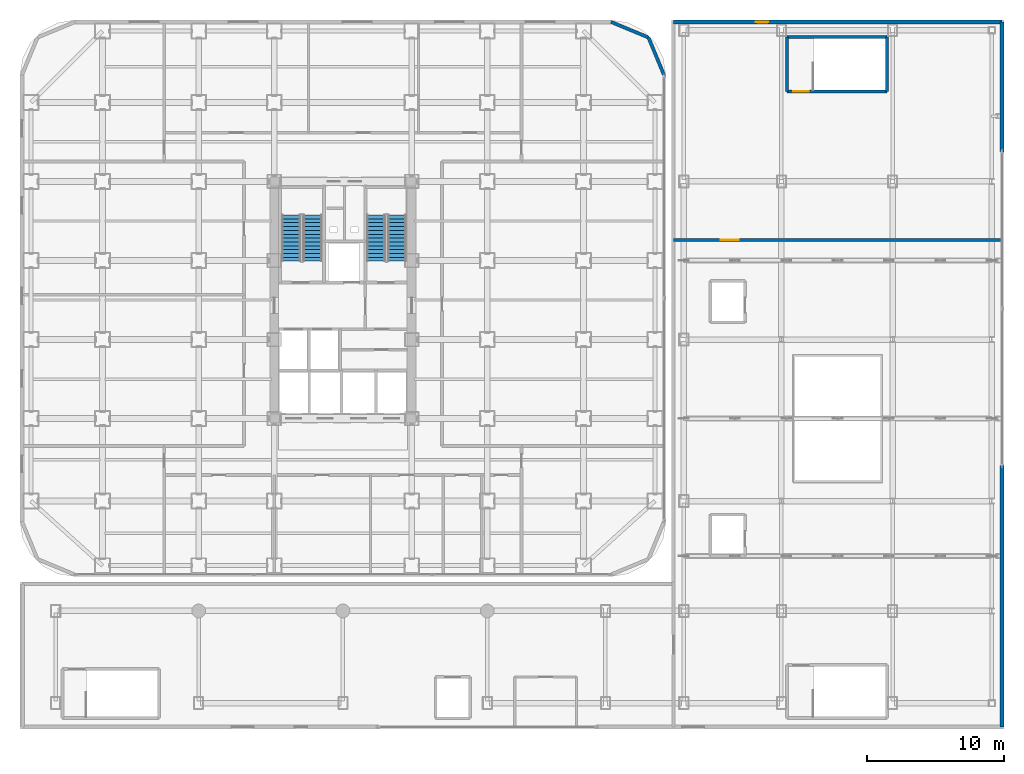
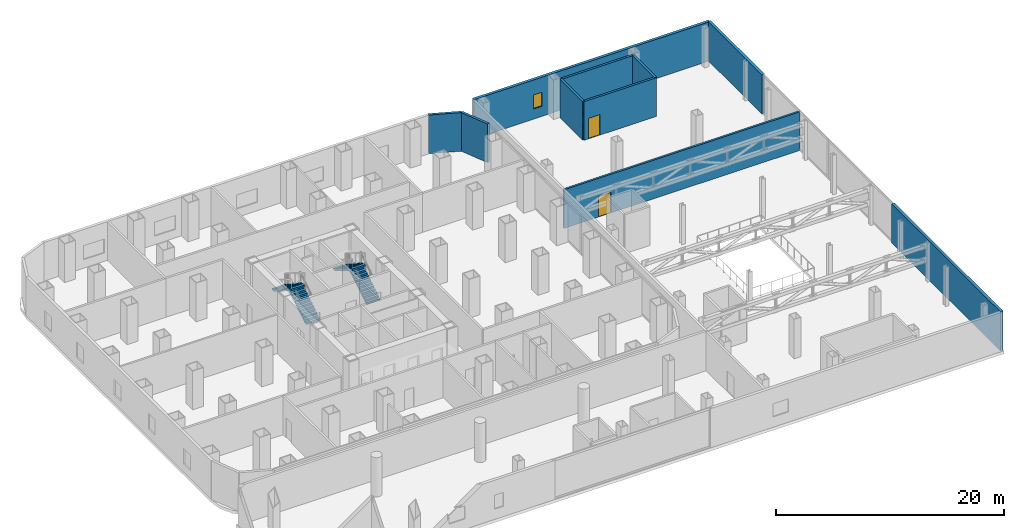
# One storey, part 25 of 28: 10 walls, 4 stair flights, 2 doors, 1 window, 3 openings, 2 elements without a shape of their own.
"""IFC4 building model written with IfcOpenShell, lengths in metres."""

from ifc_helpers import new_model, si_unit, direction, frame, frame_2d, origin, place, context, subcontext, project, spatial, polyline, rectangle, outline, extrude, material, layer, layer_set, type_object, element, fill, aggregate, save


model = new_model("IFC4")

# Units and contexts
model_context = context("Model", 3, precision=1e-05, world=origin(), true_north=direction((0.0, 1.0)))
body_context = subcontext(model_context, "Body", "Model", "MODEL_VIEW")
ifc_project = project(units=[si_unit("LENGTHUNIT", "METRE"), si_unit("AREAUNIT", "SQUARE_METRE"), si_unit("VOLUMEUNIT", "CUBIC_METRE"), si_unit("PLANEANGLEUNIT", "RADIAN"), si_unit("MASSUNIT", "GRAM", prefix="KILO")], contexts=[model_context])

# Site, building, storey
site_placement = place(None, origin())
site = spatial("IfcSite", under=ifc_project, at=site_placement, CompositionType="ELEMENT")
building_placement = place(site_placement, origin())
building = spatial("IfcBuilding", under=site, at=building_placement, Name="Kolveth Station Tower", CompositionType="ELEMENT")
storey_placement = place(building_placement, frame((0.0, 0.0, 18.0)))
storey = spatial("IfcBuildingStorey", under=building, at=storey_placement, Name="L04", CompositionType="ELEMENT", Elevation=18.0)

# Walls
ifc_material_1 = material(Name="Precast concrete C40/50", Category="concrete")
ifc_layer_1 = layer(ifc_material_1, 0.239990234375)
ifc_layer_set_1 = layer_set([ifc_layer_1], Name="Precast concrete C40/50")
wall_type_1 = type_object("IfcWallType", Name="Wall_EW-240", PredefinedType="SOLIDWALL", material=ifc_layer_set_1)
for number, where, z_axis, x_axis, name in (
    (1, (46.860107421875, 36.5, 0.0), (0.0, 0.0, 1.0), (-0.382689947836, 0.923876833688, 0.0), "L04 Podium Rounded Corner Wall 3"),
    (2, (45.7294921875, 39.2294921875, 0.0), (0.0, 0.0, 1.0), (-0.923876833688, 0.382689947836, 0.0), "L04 Podium Rounded Corner Wall 4"),
):
    element("IfcWall", number, at=place(storey_placement, frame(where, z_axis=z_axis, x_axis=x_axis)), inside=storey, type_object=wall_type_1, Name=name, PredefinedType="SOLIDWALL", context=body_context, shape_type="SweptSolid", body=[
        extrude(rectangle(XDim=2.954345703125, YDim=0.239990234375, at=frame_2d((1.47705078125, 0.0))), origin(), (0.0, 0.0, 1.0), 4.139892578125),
    ])
ifc_layer_2 = layer(ifc_material_1, 0.280029296875)
ifc_layer_set_2 = layer_set([ifc_layer_2], Name="Precast concrete C40/50")
wall_type_2 = type_object("IfcWallType", Name="Wall_EW-280", PredefinedType="SOLIDWALL", material=ifc_layer_set_2)
wall_1_placement = place(storey_placement, frame((71.449951171875, -10.949951171875, 0.0), z_axis=(0.0, 0.0, 1.0), x_axis=(0.0, 1.0, 0.0)))
element("IfcWall", 3, at=wall_1_placement, inside=storey, type_object=wall_type_2, Name="L04 Station Exterior Wall E1", PredefinedType="SOLIDWALL", context=body_context, shape_type="SweptSolid", body=[
    extrude(rectangle(XDim=19.050048828125, YDim=0.280029296875, at=frame_2d((9.52490234375, 0.0))), origin(), (0.0, 0.0, 1.0), 4.199951171875),
])
wall_2_placement = place(storey_placement, frame((71.449951171875, 30.89990234375, 0.0), z_axis=(0.0, 0.0, 1.0), x_axis=(0.0, 1.0, 0.0)))
element("IfcWall", 4, at=wall_2_placement, inside=storey, type_object=wall_type_2, Name="L04 Station Exterior Wall E2", PredefinedType="SOLIDWALL", context=body_context, shape_type="SweptSolid", body=[
    extrude(rectangle(XDim=9.4501953125, YDim=0.280029296875, at=frame_2d((4.72509765625, 0.0))), origin(), (0.0, 0.0, 1.0), 4.199951171875),
])

# Wall, opening, window
wall_3_placement = place(storey_placement, frame((47.5400390625, 40.35009765625, 0.0), z_axis=(0.0, 0.0, 1.0), x_axis=(1.0, 0.0, 0.0)))
wall_3 = element("IfcWall", 5, at=wall_3_placement, inside=storey, type_object=wall_type_2, Name="L04 Station Exterior Wall N1", PredefinedType="SOLIDWALL", context=body_context, shape_type="SweptSolid", body=[
    extrude(rectangle(XDim=23.909912109375, YDim=0.280029296875, at=frame_2d((11.955078125, 0.0))), origin(), (0.0, 0.0, 1.0), 4.199951171875),
])
opening_1_placement = place(wall_3_placement, frame((6.010009765625, 0.0, 1.10009765625)))
opening_1 = element("IfcOpeningElement", 6, at=opening_1_placement, cuts=wall_3, Name="Opening W8", PredefinedType="OPENING", context=body_context, shape_type="SweptSolid", body=[
    extrude(rectangle(XDim=0.89990234375, YDim=1.5, at=frame_2d((0.449951171875, 0.75))), frame((0.0, 0.14990234375, 0.0), z_axis=(0.0, -1.0, 0.0), x_axis=(1.0, 0.0, 0.0)), (0.0, 0.0, 1.0), 0.300048828125),
])
ifc_material_2 = material(Name="Black anodized aluminium 6063-T6 and frosted glass", Category="aluminium")
window_type = type_object("IfcWindowType", Name="Win_W8", PartitioningType="SINGLE_PANEL", PredefinedType="WINDOW", material=ifc_material_2)
window_placement = place(opening_1_placement, origin())
window = element("IfcWindow", 7, at=window_placement, inside=storey, type_object=window_type, Name="L04 Station Hall Window 4", OverallHeight=1.5, OverallWidth=0.89990234375, PartitioningType="SINGLE_PANEL", PredefinedType="WINDOW", context=body_context, shape_type="SweptSolid", body=[
    extrude(rectangle(XDim=0.89990234375, YDim=1.5, at=frame_2d((0.449951171875, 0.75))), frame((0.0, 0.030029296875, 0.0), z_axis=(0.0, -1.0, 0.0), x_axis=(1.0, 0.0, 0.0)), (0.0, 0.0, 1.0), 0.06005859375),
])
fill(opening_1, window)

# Wall, opening, door
ifc_material_3 = material(Name="Acoustic fire-rated gypsum blockwork", Category="masonry")
ifc_layer_3 = layer(ifc_material_3, 0.199951171875)
ifc_layer_set_3 = layer_set([ifc_layer_3], Name="Acoustic fire-rated gypsum blockwork")
wall_type_3 = type_object("IfcWallType", Name="Wall_IW-200", PredefinedType="PARTITIONING", material=ifc_layer_set_3)
wall_4_placement = place(storey_placement, frame((47.550048828125, 24.5, 0.0), z_axis=(0.0, 0.0, 1.0), x_axis=(1.0, 0.0, 0.0)))
wall_4 = element("IfcWall", 8, at=wall_4_placement, inside=storey, type_object=wall_type_3, Name="L04 Partition Wall WL-L04-STN-DIV", PredefinedType="PARTITIONING", context=body_context, shape_type="SweptSolid", body=[
    extrude(rectangle(XDim=23.89990234375, YDim=0.199951171875, at=frame_2d((11.949951171875, 0.0))), origin(), (0.0, 0.0, 1.0), 4.139892578125),
])
opening_2_placement = place(wall_4_placement, frame((3.449951171875, 0.0, 0.0)))
opening_2 = element("IfcOpeningElement", 9, at=opening_2_placement, cuts=wall_4, Name="Opening ID3", PredefinedType="OPENING", context=body_context, shape_type="SweptSolid", body=[
    extrude(rectangle(XDim=1.300048828125, YDim=2.199951171875, at=frame_2d((0.64990234375, 1.10009765625))), frame((0.0, 0.10986328125, 0.0), z_axis=(0.0, -1.0, 0.0), x_axis=(1.0, 0.0, 0.0)), (0.0, 0.0, 1.0), 0.219970703125),
])
ifc_material_4 = material(Name="Glazed acoustic office double leaf")
door_type_1 = type_object("IfcDoorType", Name="Door_ID3", OperationType="NOTDEFINED", PredefinedType="DOOR", material=ifc_material_4)
door_1_placement = place(opening_2_placement, origin())
door_1 = element("IfcDoor", 10, at=door_1_placement, inside=storey, type_object=door_type_1, Name="L04 Station Concourse Gate", OperationType="DOUBLE_DOOR_SINGLE_SWING", OverallHeight=2.199951171875, OverallWidth=1.300048828125, PredefinedType="DOOR", context=body_context, shape_type="SweptSolid", body=[
    extrude(rectangle(XDim=1.300048828125, YDim=2.199951171875, at=frame_2d((0.64990234375, 1.10009765625))), frame((0.0, 0.02490234375, 0.0), z_axis=(0.0, -1.0, 0.0), x_axis=(1.0, 0.0, 0.0)), (0.0, 0.0, 1.0), 0.050048828125),
])
fill(opening_2, door_1)

ifc_material_5 = material(Name="Concrete C40/50", Category="concrete")
ifc_layer_4 = layer(ifc_material_5, 0.219970703125)
ifc_layer_set_4 = layer_set([ifc_layer_4], Name="Concrete C40/50")
wall_type_4 = type_object("IfcWallType", Name="Wall_IW-220", PredefinedType="SOLIDWALL", material=ifc_layer_set_4)
wall_5_placement = place(storey_placement, frame((55.800048828125, 35.300048828125, 0.0), z_axis=(0.0, 0.0, 1.0), x_axis=(1.0, 0.0, 0.0)))
wall_5 = element("IfcWall", 11, at=wall_5_placement, inside=storey, type_object=wall_type_4, Name="L04 Stair Shaft Wall WL-L04-ST3-S", PredefinedType="SOLIDWALL", context=body_context, shape_type="SweptSolid", body=[
    extrude(rectangle(XDim=7.300048828125, YDim=0.219970703125, at=frame_2d((3.64990234375, 0.0))), origin(), (0.0, 0.0, 1.0), 4.139892578125),
])
opening_3_placement = place(wall_5_placement, frame((0.449951171875, 0.0, 0.0)))
opening_3 = element("IfcOpeningElement", 12, at=opening_3_placement, cuts=wall_5, Name="Opening FD1", PredefinedType="OPENING", context=body_context, shape_type="SweptSolid", body=[
    extrude(rectangle(XDim=1.14990234375, YDim=2.199951171875, at=frame_2d((0.574951171875, 1.10009765625))), frame((0.0, 0.119873046875, 0.0), z_axis=(0.0, -1.0, 0.0), x_axis=(1.0, 0.0, 0.0)), (0.0, 0.0, 1.0), 0.239990234375),
])
ifc_material_6 = material(Name="Fire-rated Steel S355 leaf and frame", Category="steel")
door_type_2 = type_object("IfcDoorType", Name="Door_FD1", OperationType="NOTDEFINED", PredefinedType="DOOR", material=ifc_material_6)
door_2_placement = place(opening_3_placement, frame((1.14990234375, 0.0, 0.0), z_axis=(0.0, 0.0, 1.0), x_axis=(-1.0, 0.0, 0.0)))
door_2 = element("IfcDoor", 13, at=door_2_placement, inside=storey, type_object=door_type_2, Name="L04 Station Stair ST3 Door", OperationType="SINGLE_SWING_LEFT", OverallHeight=2.199951171875, OverallWidth=1.14990234375, PredefinedType="DOOR", context=body_context, shape_type="SweptSolid", body=[
    extrude(rectangle(XDim=1.14990234375, YDim=2.199951171875, at=frame_2d((0.574951171875, 1.10009765625))), frame((0.0, 0.02490234375, 0.0), z_axis=(0.0, -1.0, 0.0), x_axis=(1.0, 0.0, 0.0)), (0.0, 0.0, 1.0), 0.050048828125),
])
fill(opening_3, door_2)

# Walls
wall_6_placement = place(storey_placement, frame((55.800048828125, 39.260009765625, 0.0), z_axis=(0.0, 0.0, 1.0), x_axis=(1.0, 0.0, 0.0)))
element("IfcWall", 14, at=wall_6_placement, inside=storey, type_object=wall_type_4, Name="L04 Stair Shaft Wall WL-L04-ST3-N", PredefinedType="SOLIDWALL", context=body_context, shape_type="SweptSolid", body=[
    extrude(rectangle(XDim=7.300048828125, YDim=0.219970703125, at=frame_2d((3.64990234375, 0.0))), origin(), (0.0, 0.0, 1.0), 4.139892578125),
])
for number, where, z_axis, x_axis, name in (
    (15, (55.800048828125, 35.300048828125, 0.0), (0.0, 0.0, 1.0), (0.0, 1.0, 0.0), "L04 Stair Shaft Wall WL-L04-ST3-W"),
    (16, (63.10009765625, 35.300048828125, 0.0), (0.0, 0.0, 1.0), (0.0, 1.0, 0.0), "L04 Stair Shaft Wall WL-L04-ST3-E"),
):
    element("IfcWall", number, at=place(storey_placement, frame(where, z_axis=z_axis, x_axis=x_axis)), inside=storey, type_object=wall_type_4, Name=name, PredefinedType="SOLIDWALL", context=body_context, shape_type="SweptSolid", body=[
        extrude(rectangle(XDim=3.9599609375, YDim=0.219970703125, at=frame_2d((1.97998046875, 0.0))), origin(), (0.0, 0.0, 1.0), 4.139892578125),
    ])

# Stair, stair flights
stair_type_1 = type_object("IfcStairType", Name="Stair_ST1", PredefinedType="HALF_TURN_STAIR", material=ifc_material_5)
stair_1_placement = place(storey_placement, origin())
stair_1 = element("IfcStair", 17, at=stair_1_placement, inside=storey, type_object=stair_type_1, Name="L04 Tower Exit Stair ST1", PredefinedType="HALF_TURN_STAIR")
ifc_layer_5 = layer(ifc_material_5, 0.179931640625)
ifc_layer_set_5 = layer_set([ifc_layer_5], Name="Concrete C40/50")
stair_flight_type_1 = type_object("IfcStairFlightType", Name="Flight_ST1", PredefinedType="STRAIGHT", material=ifc_layer_set_5)
stair_flight_1_placement = place(storey_placement, frame((21.300048828125, 22.949951171875, 0.0), z_axis=(0.0, 0.0, 1.0), x_axis=(0.0, 1.0, 0.0)))
stair_flight_1 = element("IfcStairFlight", 18, at=stair_flight_1_placement, type_object=stair_flight_type_1, Name="ST1 flight 1", NumberOfRisers=13, NumberOfTreads=12, PredefinedType="STRAIGHT", RiserHeight=0.173076923, TreadLength=0.28, context=body_context, shape_type="SweptSolid", body=[
    extrude(outline(polyline([(0.0, 0.0), (0.0, 0.173095703125), (0.280029296875, 0.173095703125), (0.280029296875, 0.34619140625), (0.56005859375, 0.34619140625), (0.56005859375, 0.519287109375), (0.840087890625, 0.519287109375), (0.840087890625, 0.6923828125), (1.1201171875, 0.6923828125), (1.1201171875, 0.865478515625), (1.39990234375, 0.865478515625), (1.39990234375, 1.03857421875), (1.679931640625, 1.03857421875), (1.679931640625, 1.21142578125), (1.9599609375, 1.21142578125), (1.9599609375, 1.384521484375), (2.239990234375, 1.384521484375), (2.239990234375, 1.5576171875), (2.52001953125, 1.5576171875), (2.52001953125, 1.730712890625), (2.800048828125, 1.730712890625), (2.800048828125, 1.90380859375), (3.080078125, 1.90380859375), (3.080078125, 2.076904296875), (3.360107421875, 2.076904296875), (3.360107421875, 2.25), (3.360107421875, 1.900634765625), (0.28515625, 0.0), (0.0, 0.0)])), frame((0.0, 0.699951171875, 0.0), z_axis=(0.0, -1.0, 0.0), x_axis=(1.0, 0.0, 0.0)), (0.0, 0.0, 1.0), 1.39990234375),
])
stair_flight_2_placement = place(storey_placement, frame((19.739990234375, 26.31005859375, 2.25), z_axis=(0.0, 0.0, 1.0), x_axis=(0.0, -1.0, 0.0)))
stair_flight_2 = element("IfcStairFlight", 19, at=stair_flight_2_placement, type_object=stair_flight_type_1, Name="ST1 flight 2", NumberOfRisers=13, NumberOfTreads=12, PredefinedType="STRAIGHT", RiserHeight=0.173076923, TreadLength=0.28, context=body_context, shape_type="SweptSolid", body=[
    extrude(outline(polyline([(0.0, 0.0), (0.0, 0.173095703125), (0.280029296875, 0.173095703125), (0.280029296875, 0.34619140625), (0.56005859375, 0.34619140625), (0.56005859375, 0.519287109375), (0.840087890625, 0.519287109375), (0.840087890625, 0.6923828125), (1.1201171875, 0.6923828125), (1.1201171875, 0.865478515625), (1.39990234375, 0.865478515625), (1.39990234375, 1.03857421875), (1.679931640625, 1.03857421875), (1.679931640625, 1.21142578125), (1.9599609375, 1.21142578125), (1.9599609375, 1.384521484375), (2.239990234375, 1.384521484375), (2.239990234375, 1.5576171875), (2.52001953125, 1.5576171875), (2.52001953125, 1.730712890625), (2.800048828125, 1.730712890625), (2.800048828125, 1.90380859375), (3.080078125, 1.90380859375), (3.080078125, 2.076904296875), (3.360107421875, 2.076904296875), (3.360107421875, 2.25), (3.360107421875, 1.900634765625), (0.28515625, 0.0), (0.0, 0.0)])), frame((0.0, 0.699951171875, 0.0), z_axis=(0.0, -1.0, 0.0), x_axis=(1.0, 0.0, 0.0)), (0.0, 0.0, 1.0), 1.39990234375),
])
aggregate(stair_1, [stair_flight_1, stair_flight_2])

stair_type_2 = type_object("IfcStairType", Name="Stair_ST2", PredefinedType="HALF_TURN_STAIR", material=ifc_material_5)
stair_2_placement = place(storey_placement, origin())
stair_2 = element("IfcStair", 20, at=stair_2_placement, inside=storey, type_object=stair_type_2, Name="L04 Tower Exit Stair ST2", PredefinedType="HALF_TURN_STAIR")
ifc_layer_6 = layer(ifc_material_5, 0.179931640625)
ifc_layer_set_6 = layer_set([ifc_layer_6], Name="Concrete C40/50")
stair_flight_type_2 = type_object("IfcStairFlightType", Name="Flight_ST2", PredefinedType="STRAIGHT", material=ifc_layer_set_6)
stair_flight_3_placement = place(storey_placement, frame((27.425048828125, 22.949951171875, 0.0), z_axis=(0.0, 0.0, 1.0), x_axis=(0.0, 1.0, 0.0)))
stair_flight_3 = element("IfcStairFlight", 21, at=stair_flight_3_placement, type_object=stair_flight_type_2, Name="ST2 flight 1", NumberOfRisers=13, NumberOfTreads=12, PredefinedType="STRAIGHT", RiserHeight=0.173076923, TreadLength=0.28, context=body_context, shape_type="SweptSolid", body=[
    extrude(outline(polyline([(0.0, 0.0), (0.0, 0.173095703125), (0.280029296875, 0.173095703125), (0.280029296875, 0.34619140625), (0.56005859375, 0.34619140625), (0.56005859375, 0.519287109375), (0.840087890625, 0.519287109375), (0.840087890625, 0.6923828125), (1.1201171875, 0.6923828125), (1.1201171875, 0.865478515625), (1.39990234375, 0.865478515625), (1.39990234375, 1.03857421875), (1.679931640625, 1.03857421875), (1.679931640625, 1.21142578125), (1.9599609375, 1.21142578125), (1.9599609375, 1.384521484375), (2.239990234375, 1.384521484375), (2.239990234375, 1.5576171875), (2.52001953125, 1.5576171875), (2.52001953125, 1.730712890625), (2.800048828125, 1.730712890625), (2.800048828125, 1.90380859375), (3.080078125, 1.90380859375), (3.080078125, 2.076904296875), (3.360107421875, 2.076904296875), (3.360107421875, 2.25), (3.360107421875, 1.900634765625), (0.28515625, 0.0), (0.0, 0.0)])), frame((0.0, 0.675048828125, 0.0), z_axis=(0.0, -1.0, 0.0), x_axis=(1.0, 0.0, 0.0)), (0.0, 0.0, 1.0), 1.35009765625),
])
stair_flight_4_placement = place(storey_placement, frame((25.9150390625, 26.31005859375, 2.25), z_axis=(0.0, 0.0, 1.0), x_axis=(0.0, -1.0, 0.0)))
stair_flight_4 = element("IfcStairFlight", 22, at=stair_flight_4_placement, type_object=stair_flight_type_2, Name="ST2 flight 2", NumberOfRisers=13, NumberOfTreads=12, PredefinedType="STRAIGHT", RiserHeight=0.173076923, TreadLength=0.28, context=body_context, shape_type="SweptSolid", body=[
    extrude(outline(polyline([(0.0, 0.0), (0.0, 0.173095703125), (0.280029296875, 0.173095703125), (0.280029296875, 0.34619140625), (0.56005859375, 0.34619140625), (0.56005859375, 0.519287109375), (0.840087890625, 0.519287109375), (0.840087890625, 0.6923828125), (1.1201171875, 0.6923828125), (1.1201171875, 0.865478515625), (1.39990234375, 0.865478515625), (1.39990234375, 1.03857421875), (1.679931640625, 1.03857421875), (1.679931640625, 1.21142578125), (1.9599609375, 1.21142578125), (1.9599609375, 1.384521484375), (2.239990234375, 1.384521484375), (2.239990234375, 1.5576171875), (2.52001953125, 1.5576171875), (2.52001953125, 1.730712890625), (2.800048828125, 1.730712890625), (2.800048828125, 1.90380859375), (3.080078125, 1.90380859375), (3.080078125, 2.076904296875), (3.360107421875, 2.076904296875), (3.360107421875, 2.25), (3.360107421875, 1.900634765625), (0.28515625, 0.0), (0.0, 0.0)])), frame((0.0, 0.675048828125, 0.0), z_axis=(0.0, -1.0, 0.0), x_axis=(1.0, 0.0, 0.0)), (0.0, 0.0, 1.0), 1.35009765625),
])
aggregate(stair_2, [stair_flight_3, stair_flight_4])

save(model, "model.ifc")
